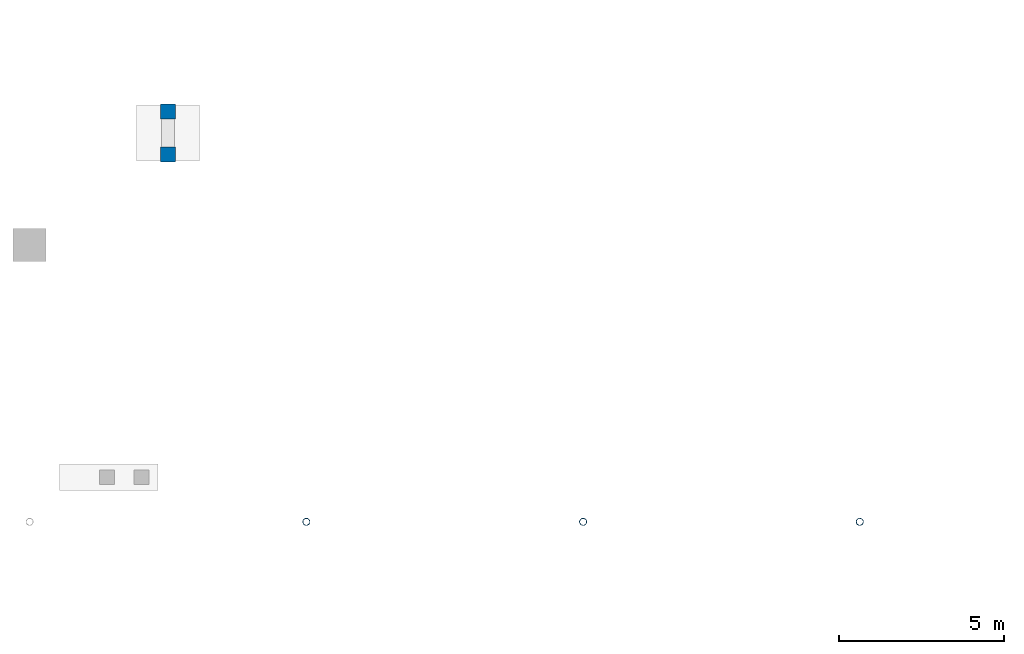
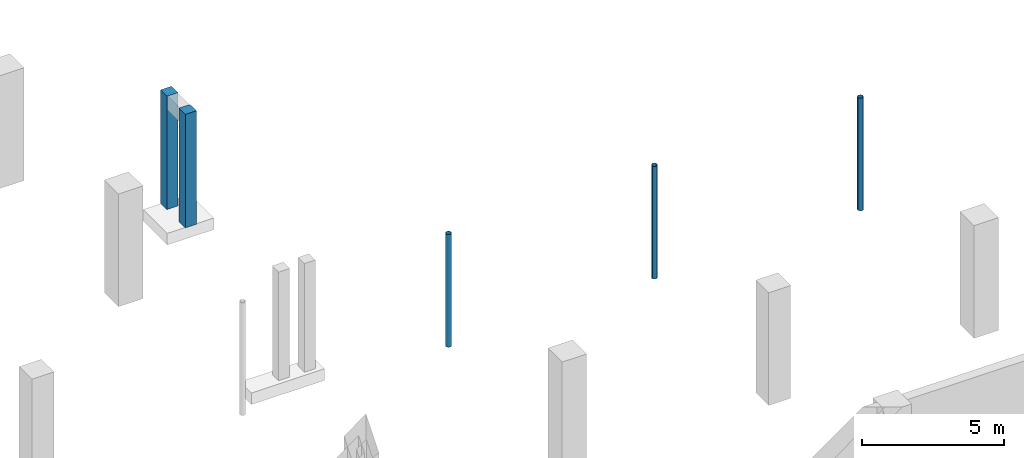
# One storey, part 15 of 39: 5 columns.
"""IFC4 building model written with IfcOpenShell, lengths in metres."""

from ifc_helpers import new_model, si_unit, derived_unit, direction, frame, origin, origin_2d, place, context, subcontext, project, spatial, rectangle, hollow_circle, extrude, material, material_profile, profile_set, type_object, element, save


model = new_model("IFC4")

# Units and contexts
model_context = context("Model", 3, precision=1e-05, world=origin(), true_north=direction((0.0, 1.0)))
body_context = subcontext(model_context, "Body", "Model", "MODEL_VIEW")
ifc_project = project(units=[si_unit("LENGTHUNIT", "METRE"), si_unit("AREAUNIT", "SQUARE_METRE"), si_unit("VOLUMEUNIT", "CUBIC_METRE"), si_unit("PLANEANGLEUNIT", "RADIAN"), si_unit("MASSUNIT", "GRAM", prefix="KILO"), derived_unit("THERMALTRANSMITTANCEUNIT", [(si_unit("POWERUNIT", "WATT"), 1), (si_unit("LENGTHUNIT", "METRE"), -2), (si_unit("THERMODYNAMICTEMPERATUREUNIT", "KELVIN"), -1)])], contexts=[model_context])

# Site, building, storey
site_placement = place(None, origin())
site = spatial("IfcSite", under=ifc_project, at=site_placement, CompositionType="ELEMENT")
building_placement = place(site_placement, origin())
building = spatial("IfcBuilding", under=site, at=building_placement, Name="Barrovel Congress Hotel", CompositionType="ELEMENT")
storey_placement = place(building_placement, frame((0.0, 0.0, -4.5)))
storey = spatial("IfcBuildingStorey", under=building, at=storey_placement, Name="B01", CompositionType="ELEMENT", Elevation=-4.5)

# Columns
ifc_material_1 = material(Name="Concrete C40", Category="concrete")
ifc_material_profile_1 = material_profile(ifc_material_1, rectangle(XDim=0.449951171875, YDim=0.449951171875, at=origin_2d()), Name="RC450x450")
ifc_profile_set_1 = profile_set([ifc_material_profile_1], Name="Concrete C40")
column_type_1 = type_object("IfcColumnType", Name="COL-RC450x450", PredefinedType="COLUMN", material=ifc_profile_set_1)
for number, where, z_axis, x_axis, name in (
    (1, (63.0, 58.64990234375, -0.360107421875), (0.0, 0.0, 1.0), (1.0, 0.0, 0.0), "COL:RAMP:R-05:F1:1:A"),
    (2, (63.0, 57.35009765625, -0.360107421875), (0.0, 0.0, 1.0), (1.0, 0.0, 0.0), "COL:RAMP:R-05:F1:1:B"),
):
    element("IfcColumn", number, at=place(storey_placement, frame(where, z_axis=z_axis, x_axis=x_axis)), inside=storey, type_object=column_type_1, Name=name, PredefinedType="COLUMN", context=body_context, shape_type="SweptSolid", body=[
        extrude(rectangle(XDim=0.449951171875, YDim=0.449951171875, at=origin_2d()), origin(), (0.0, 0.0, 1.0), 4.89013671875),
    ])
ifc_material_2 = material(Name="Steel ASTM A500 Grade C", Category="steel")
ifc_material_profile_2 = material_profile(ifc_material_2, hollow_circle(Radius=0.109619140625, WallThickness=0.0087890625, at=origin_2d()), Name="CHS219.1x9.5")
ifc_profile_set_2 = profile_set([ifc_material_profile_2], Name="Steel ASTM A500 Grade C")
column_type_2 = type_object("IfcColumnType", Name="SCOL-CHS219.1x9.5", PredefinedType="COLUMN", material=ifc_profile_set_2)
for number, where, z_axis, x_axis, name in (
    (3, (67.199951171875, 46.199951171875, -0.360107421875), (0.0, 0.0, 1.0), (1.0, 0.0, 0.0), "COL:B01:67.2:46.2"),
    (4, (75.60009765625, 46.199951171875, -0.360107421875), (0.0, 0.0, 1.0), (1.0, 0.0, 0.0), "COL:B01:75.6:46.2"),
    (5, (84.0, 46.199951171875, -0.360107421875), (0.0, 0.0, 1.0), (1.0, 0.0, 0.0), "COL:B01:84.0:46.2"),
):
    element("IfcColumn", number, at=place(storey_placement, frame(where, z_axis=z_axis, x_axis=x_axis)), inside=storey, type_object=column_type_2, Name=name, PredefinedType="COLUMN", context=body_context, shape_type="SweptSolid", body=[
        extrude(hollow_circle(Radius=0.109619140625, WallThickness=0.0087890625, at=origin_2d()), origin(), (0.0, 0.0, 1.0), 4.860107421875),
    ])

save(model, "model.ifc")
